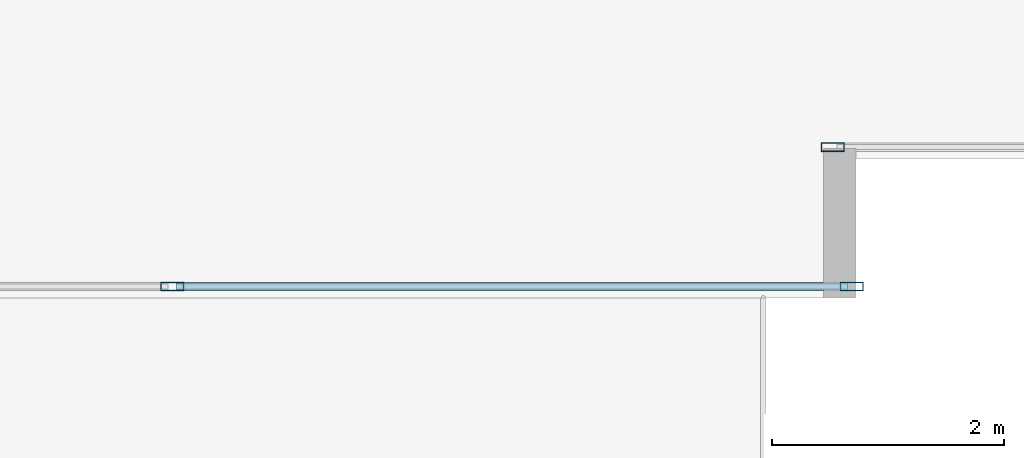
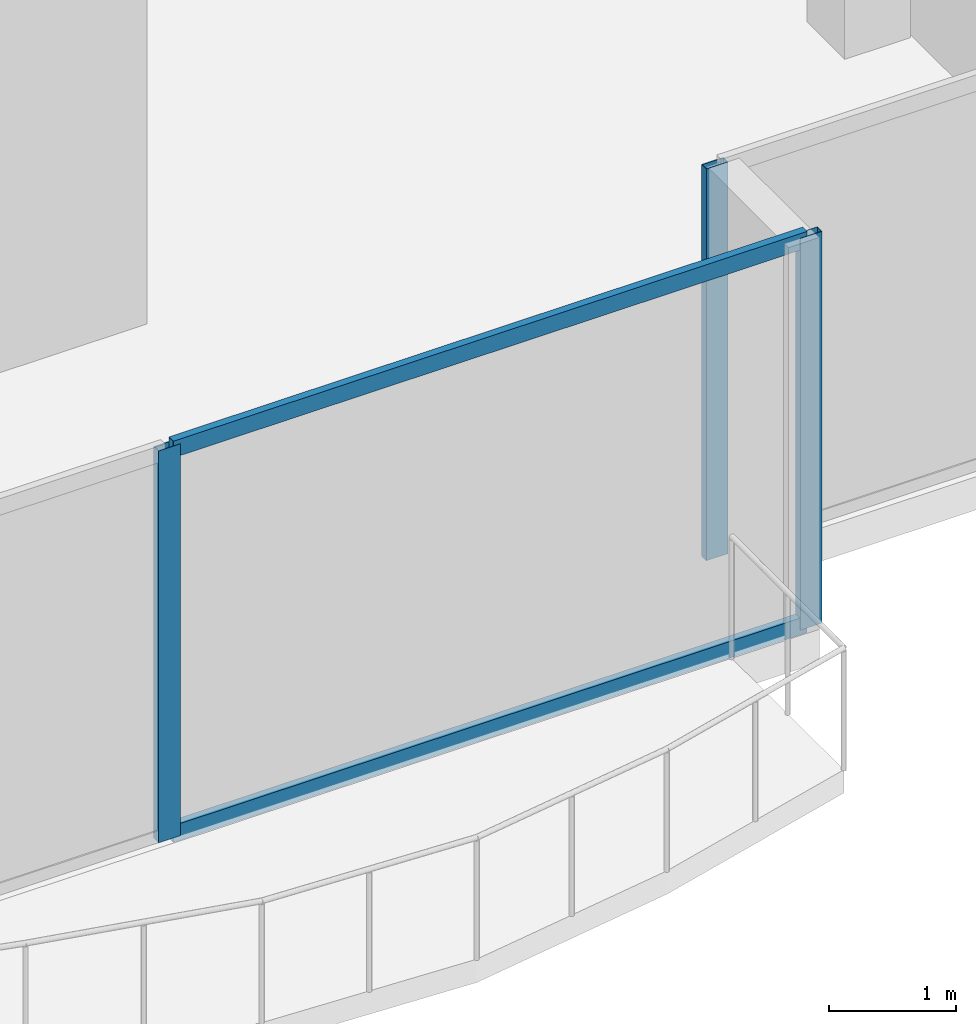
# One storey, part 4 of 31: 5 members, 2 elements without a shape of their own.
"""IFC4 building model written with IfcOpenShell, lengths in metres."""

from ifc_helpers import new_model, si_unit, direction, frame, origin, origin_2d, place, context, subcontext, project, spatial, hollow_rectangle, extrude, source, transform, mapped, material, layer, layer_set, material_profile, profile_set, type_object, type_shapes, element, aggregate, save


model = new_model("IFC4")

# Units and contexts
model_context = context("Model", 3, precision=1e-05, world=origin(), true_north=direction((0.0, 1.0)))
body_context = subcontext(model_context, "Body", "Model", "MODEL_VIEW")
ifc_project = project(units=[si_unit("LENGTHUNIT", "METRE"), si_unit("AREAUNIT", "SQUARE_METRE"), si_unit("VOLUMEUNIT", "CUBIC_METRE"), si_unit("PLANEANGLEUNIT", "RADIAN"), si_unit("MASSUNIT", "GRAM", prefix="KILO")], contexts=[model_context])

# Site, building, storey
site_placement = place(None, origin())
site = spatial("IfcSite", under=ifc_project, at=site_placement, CompositionType="ELEMENT")
building_placement = place(site_placement, origin())
building = spatial("IfcBuilding", under=site, at=building_placement, Name="Haelvirn Gate Laboratories", CompositionType="ELEMENT")
storey_placement = place(building_placement, frame((0.0, 0.0, 62.10009765625)))
storey = spatial("IfcBuildingStorey", under=building, at=storey_placement, Name="L15", CompositionType="ELEMENT", Elevation=62.10009765625)

# Curtain wall, members
ifc_material_1 = material(Name="Anodised bronze unitised aluminium & triple low-E glass", Category="aluminium")
ifc_layer = layer(ifc_material_1, 0.18408203125, Name="CW-SYS-2")
ifc_layer_set = layer_set([ifc_layer], Name="Anodised bronze unitised aluminium & triple low-E glass")
curtain_wall_type = type_object("IfcCurtainWallType", Name="CW-SYS-2", PredefinedType="NOTDEFINED", material=ifc_layer_set)
curtain_wall_1_placement = place(storey_placement, origin())
curtain_wall_1 = element("IfcCurtainWall", 1, at=curtain_wall_1_placement, inside=storey, type_object=curtain_wall_type, Name="L15 Unitised Curtain Wall CW-L15-P0-E00-2", PredefinedType="NOTDEFINED")
ifc_material_2 = material(Name="Extruded aluminium 6063-T6 (anodised bronze)", Category="aluminium")
ifc_material_profile_1 = material_profile(ifc_material_2, hollow_rectangle(XDim=0.074951171875, YDim=0.199951171875, WallThickness=0.0048828125, at=origin_2d()), Name="CWM-200x75x5")
ifc_profile_set_1 = profile_set([ifc_material_profile_1], Name="Extruded aluminium 6063-T6 (anodised bronze)")
member_type_1 = type_object("IfcMemberType", Name="CWM-T200", PredefinedType="MULLION", material=ifc_profile_set_1)
shared_shape_1 = source(origin(), body_context, "Body", "SweptSolid", [
    extrude(hollow_rectangle(XDim=0.074951171875, YDim=0.199951171875, WallThickness=0.0048828125, at=origin_2d()), origin(), (0.0, 0.0, 1.0), 3.77978515625),
])
type_shapes(member_type_1, [shared_shape_1])
member_1_placement = place(storey_placement, frame((19.5048828125, 0.10009765625, 0.0), z_axis=(0.0, 0.0, 1.0), x_axis=(0.0, 1.0, 0.0)))
member_1 = element("IfcMember", 2, at=member_1_placement, type_object=member_type_1, Name="CW2 mullion 2", PredefinedType="MULLION", context=body_context, shape_type="MappedRepresentation", body=[
    mapped(shared_shape_1, transform((0.0, 0.0, 0.0), scale=1.0)),
])
member_2_placement = place(storey_placement, frame((25.362548828125, 0.10009765625, 0.0), z_axis=(0.0, 0.0, 1.0), x_axis=(0.0, 1.0, 0.0)))
member_2 = element("IfcMember", 3, at=member_2_placement, type_object=member_type_1, Name="CW2 mullion 3", PredefinedType="MULLION", context=body_context, shape_type="MappedRepresentation", body=[
    mapped(shared_shape_1, transform((0.0, 0.0, 0.0), scale=1.0)),
])

# Curtain wall, member
curtain_wall_2_placement = place(storey_placement, origin())
curtain_wall_2 = element("IfcCurtainWall", 4, at=curtain_wall_2_placement, inside=storey, type_object=curtain_wall_type, Name="L15 Unitised Curtain Wall CW-L15-P0-E02-1", PredefinedType="NOTDEFINED")
member_3_placement = place(storey_placement, frame((25.197509765625, 1.300048828125, 0.0), z_axis=(0.0, 0.0, 1.0), x_axis=(0.0, 1.0, 0.0)))
member_3 = element("IfcMember", 5, at=member_3_placement, type_object=member_type_1, Name="CW2 mullion 1", PredefinedType="MULLION", context=body_context, shape_type="MappedRepresentation", body=[
    mapped(shared_shape_1, transform((0.0, 0.0, 0.0), scale=1.0)),
])
aggregate(curtain_wall_2, [member_3])

# Member
ifc_material_profile_2 = material_profile(ifc_material_2, hollow_rectangle(XDim=0.070068359375, YDim=0.159912109375, WallThickness=0.0048828125, at=origin_2d()), Name="CWT-160x70x5")
ifc_profile_set_2 = profile_set([ifc_material_profile_2], Name="Extruded aluminium 6063-T6 (anodised bronze)")
member_type_2 = type_object("IfcMemberType", Name="CWT-T160", PredefinedType="USERDEFINED", material=ifc_profile_set_2)
shared_shape_2 = source(origin(), body_context, "Body", "SweptSolid", [
    extrude(hollow_rectangle(XDim=0.070068359375, YDim=0.159912109375, WallThickness=0.0048828125, at=origin_2d()), origin(), (0.0, 0.0, 1.0), 5.782470703125),
])
type_shapes(member_type_2, [shared_shape_2])
member_4_placement = place(storey_placement, frame((19.54248046875, 0.10009765625, 0.034912109375), z_axis=(1.0, 0.0, 0.0), x_axis=(0.0, 1.0, 0.0)))
member_4 = element("IfcMember", 6, at=member_4_placement, type_object=member_type_2, Name="CW2 transom 2.1", ObjectType="TRANSOM", PredefinedType="USERDEFINED", context=body_context, shape_type="MappedRepresentation", body=[
    mapped(shared_shape_2, transform((0.0, 0.0, 0.0), scale=1.0)),
])

member_5_placement = place(storey_placement, frame((19.54248046875, 0.10009765625, 3.744873046875), z_axis=(1.0, 0.0, 0.0), x_axis=(0.0, 1.0, 0.0)))
member_5 = element("IfcMember", 7, at=member_5_placement, type_object=member_type_2, Name="CW2 transom 2.2", ObjectType="TRANSOM", PredefinedType="USERDEFINED", context=body_context, shape_type="MappedRepresentation", body=[
    mapped(shared_shape_2, transform((0.0, 0.0, 0.0), scale=1.0)),
])

aggregate(curtain_wall_1, [member_1, member_2, member_4, member_5])

save(model, "model.ifc")
